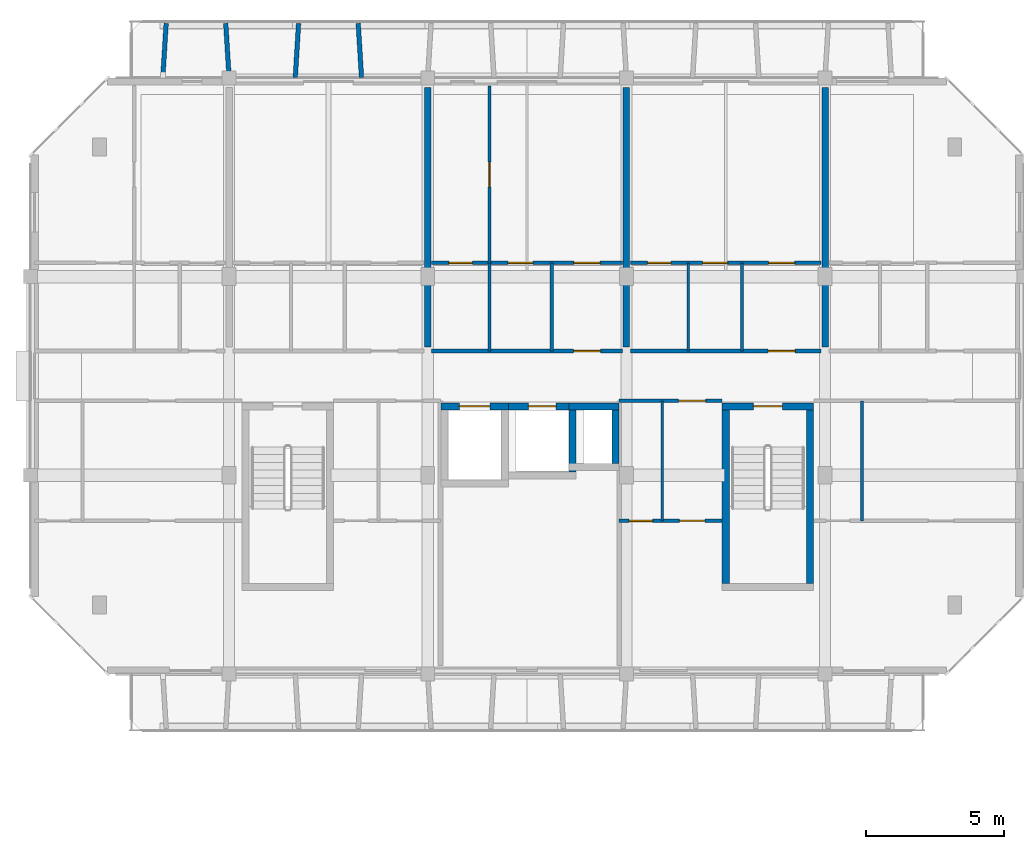
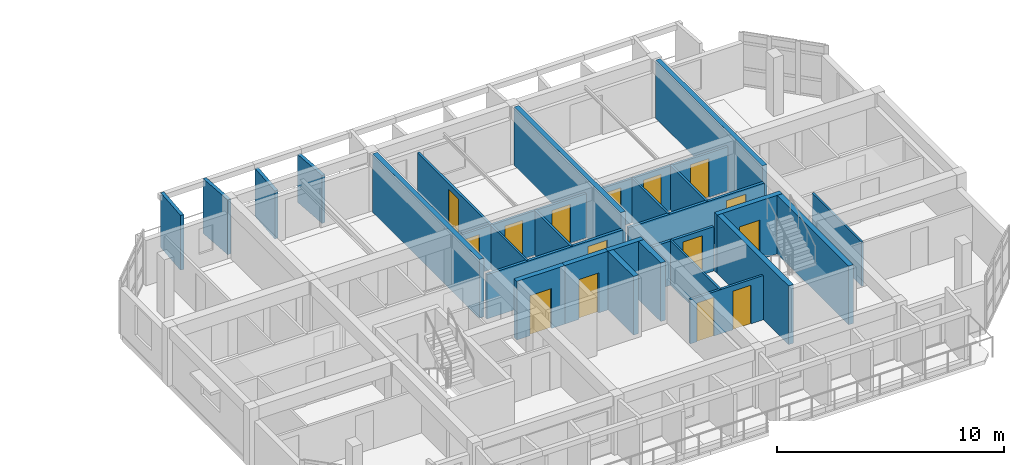
# One storey, part 27 of 44: 28 walls, 15 doors, 15 openings.
"""IFC4 building model written with IfcOpenShell, lengths in metres."""

from ifc_helpers import new_model, si_unit, direction, frame, frame_2d, origin, place, context, subcontext, project, spatial, rectangle, extrude, material, layer, layer_set, type_object, element, fill, save


model = new_model("IFC4")

# Units and contexts
model_context = context("Model", 3, precision=1e-05, world=origin(), true_north=direction((0.0, 1.0)))
body_context = subcontext(model_context, "Body", "Model", "MODEL_VIEW")
ifc_project = project(units=[si_unit("LENGTHUNIT", "METRE"), si_unit("AREAUNIT", "SQUARE_METRE"), si_unit("VOLUMEUNIT", "CUBIC_METRE"), si_unit("PLANEANGLEUNIT", "RADIAN"), si_unit("MASSUNIT", "GRAM", prefix="KILO")], contexts=[model_context])

# Site, building, storey
site_placement = place(None, origin())
site = spatial("IfcSite", under=ifc_project, at=site_placement, CompositionType="ELEMENT")
building_placement = place(site_placement, origin())
building = spatial("IfcBuilding", under=site, at=building_placement, Name="Ochrevale Crest", CompositionType="ELEMENT")
storey_placement = place(building_placement, frame((0.0, 0.0, 21.300048828125)))
storey = spatial("IfcBuildingStorey", under=building, at=storey_placement, Name="L06", CompositionType="ELEMENT", Elevation=21.300048828125)

# Wall, opening, door
ifc_material_1 = material(Name="Gypsum plasterboard", Category="gypsum")
ifc_layer_1 = layer(ifc_material_1, 0.139892578125)
ifc_layer_set_1 = layer_set([ifc_layer_1], Name="Gypsum plasterboard")
wall_type_1 = type_object("IfcWallType", Name="WL-COR-140", PredefinedType="PARTITIONING", material=ifc_layer_set_1)
wall_1_placement = place(storey_placement, frame((144.139892578125, 83.699951171875, 0.0), z_axis=(0.0, 0.0, 1.0), x_axis=(1.0, 0.0, 0.0)))
wall_1 = element("IfcWall", 1, at=wall_1_placement, inside=storey, type_object=wall_type_1, Name="Apartment D-L06-U3 corridor wall", PredefinedType="PARTITIONING", context=body_context, shape_type="SweptSolid", body=[
    extrude(rectangle(XDim=6.920166015625, YDim=0.139892578125, at=frame_2d((3.4599609375, 0.0))), origin(), (0.0, 0.0, 1.0), 2.3798828125),
])
opening_1_placement = place(wall_1_placement, frame((5.14501953125, 0.0, 0.0)))
opening_1 = element("IfcOpeningElement", 2, at=opening_1_placement, cuts=wall_1, Name="Opening FD01", PredefinedType="OPENING", context=body_context, shape_type="SweptSolid", body=[
    extrude(rectangle(XDim=0.97998046875, YDim=2.10009765625, at=frame_2d((0.489990234375, 1.050048828125))), frame((0.0, 0.080078125, 0.0), z_axis=(0.0, -1.0, 0.0), x_axis=(1.0, 0.0, 0.0)), (0.0, 0.0, 1.0), 0.159912109375),
])
ifc_material_2 = material(Name="Solid-core FSC hardwood", Category="wood")
door_type_1 = type_object("IfcDoorType", Name="DR-APT-950", OperationType="NOTDEFINED", PredefinedType="DOOR", material=ifc_material_2)
door_1_placement = place(opening_1_placement, origin())
door_1 = element("IfcDoor", 3, at=door_1_placement, inside=storey, type_object=door_type_1, Name="Apartment D-L06-U3 entrance door", OperationType="SINGLE_SWING_LEFT", OverallHeight=2.10009765625, OverallWidth=0.97998046875, PredefinedType="DOOR", context=body_context, shape_type="SweptSolid", body=[
    extrude(rectangle(XDim=0.97998046875, YDim=2.10009765625, at=frame_2d((0.489990234375, 1.050048828125))), frame((0.0, 0.02490234375, 0.0), z_axis=(0.0, -1.0, 0.0), x_axis=(1.0, 0.0, 0.0)), (0.0, 0.0, 1.0), 0.050048828125),
])
fill(opening_1, door_1)

wall_2_placement = place(storey_placement, frame((151.340087890625, 83.699951171875, 0.0), z_axis=(0.0, 0.0, 1.0), x_axis=(1.0, 0.0, 0.0)))
wall_2 = element("IfcWall", 4, at=wall_2_placement, inside=storey, type_object=wall_type_1, Name="Apartment D-L06-U4 corridor wall", PredefinedType="PARTITIONING", context=body_context, shape_type="SweptSolid", body=[
    extrude(rectangle(XDim=6.919921875, YDim=0.139892578125, at=frame_2d((3.4599609375, 0.0))), origin(), (0.0, 0.0, 1.0), 2.3798828125),
])
opening_2_placement = place(wall_2_placement, frame((5.97509765625, 0.0, 0.0), z_axis=(0.0, 0.0, 1.0), x_axis=(-1.0, 0.0, 0.0)))
opening_2 = element("IfcOpeningElement", 5, at=opening_2_placement, cuts=wall_2, Name="Opening FD01", PredefinedType="OPENING", context=body_context, shape_type="SweptSolid", body=[
    extrude(rectangle(XDim=0.97998046875, YDim=2.10009765625, at=frame_2d((0.489990234375, 1.050048828125))), frame((0.0, 0.080078125, 0.0), z_axis=(0.0, -1.0, 0.0), x_axis=(1.0, 0.0, 0.0)), (0.0, 0.0, 1.0), 0.159912109375),
])
door_2_placement = place(opening_2_placement, origin())
door_2 = element("IfcDoor", 6, at=door_2_placement, inside=storey, type_object=door_type_1, Name="Apartment D-L06-U4 entrance door", OperationType="SINGLE_SWING_RIGHT", OverallHeight=2.10009765625, OverallWidth=0.97998046875, PredefinedType="DOOR", context=body_context, shape_type="SweptSolid", body=[
    extrude(rectangle(XDim=0.97998046875, YDim=2.10009765625, at=frame_2d((0.489990234375, 1.050048828125))), frame((0.0, 0.02490234375, 0.0), z_axis=(0.0, -1.0, 0.0), x_axis=(1.0, 0.0, 0.0)), (0.0, 0.0, 1.0), 0.050048828125),
])
fill(opening_2, door_2)

wall_3_placement = place(storey_placement, frame((150.93994140625, 81.89990234375, 0.0), z_axis=(0.0, 0.0, 1.0), x_axis=(1.0, 0.0, 0.0)))
wall_3 = element("IfcWall", 7, at=wall_3_placement, inside=storey, type_object=wall_type_1, Name="Suite D-L06-ME corridor wall", PredefinedType="PARTITIONING", context=body_context, shape_type="SweptSolid", body=[
    extrude(rectangle(XDim=3.719970703125, YDim=0.139892578125, at=frame_2d((1.85986328125, 0.0))), origin(), (0.0, 0.0, 1.0), 2.3798828125),
])
opening_3_placement = place(wall_3_placement, frame((3.131103515625, 0.0, 0.0), z_axis=(0.0, 0.0, 1.0), x_axis=(-1.0, 0.0, 0.0)))
opening_3 = element("IfcOpeningElement", 8, at=opening_3_placement, cuts=wall_3, Name="Opening FD01", PredefinedType="OPENING", context=body_context, shape_type="SweptSolid", body=[
    extrude(rectangle(XDim=0.97998046875, YDim=2.10009765625, at=frame_2d((0.489990234375, 1.050048828125))), frame((0.0, 0.080078125, 0.0), z_axis=(0.0, -1.0, 0.0), x_axis=(1.0, 0.0, 0.0)), (0.0, 0.0, 1.0), 0.159912109375),
])
door_3_placement = place(opening_3_placement, origin())
door_3 = element("IfcDoor", 9, at=door_3_placement, inside=storey, type_object=door_type_1, Name="Suite D-L06-ME entrance door", OperationType="SINGLE_SWING_RIGHT", OverallHeight=2.10009765625, OverallWidth=0.97998046875, PredefinedType="DOOR", context=body_context, shape_type="SweptSolid", body=[
    extrude(rectangle(XDim=0.97998046875, YDim=2.10009765625, at=frame_2d((0.489990234375, 1.050048828125))), frame((0.0, 0.02490234375, 0.0), z_axis=(0.0, -1.0, 0.0), x_axis=(1.0, 0.0, 0.0)), (0.0, 0.0, 1.0), 0.050048828125),
])
fill(opening_3, door_3)

ifc_material_3 = material(Name="Precast concrete C50/60", Category="concrete")
ifc_layer_2 = layer(ifc_material_3, 0.2548828125)
ifc_layer_set_2 = layer_set([ifc_layer_2], Name="Precast concrete C50/60")
wall_type_2 = type_object("IfcWallType", Name="WL-CORE-255", PredefinedType="SHEAR", material=ifc_layer_set_2)
wall_4_placement = place(storey_placement, frame((154.672607421875, 81.699951171875, 0.0), z_axis=(0.0, 0.0, 1.0), x_axis=(1.0, 0.0, 0.0)))
wall_4 = element("IfcWall", 10, at=wall_4_placement, inside=storey, type_object=wall_type_2, Name="Block D L06 Stair 2 precast core shear wall N", PredefinedType="SHEAR", context=body_context, shape_type="SweptSolid", body=[
    extrude(rectangle(XDim=3.304931640625, YDim=0.2548828125, at=frame_2d((1.65234375, 0.0))), origin(), (0.0, 0.0, 1.0), 3.14990234375),
])
opening_4_placement = place(wall_4_placement, frame((1.12744140625, 0.0, 0.0)))
opening_4 = element("IfcOpeningElement", 11, at=opening_4_placement, cuts=wall_4, Name="Opening FD03", PredefinedType="OPENING", context=body_context, shape_type="SweptSolid", body=[
    extrude(rectangle(XDim=1.050048828125, YDim=2.1201171875, at=frame_2d((0.52490234375, 1.06005859375))), frame((0.0, 0.137451171875, 0.0), z_axis=(0.0, -1.0, 0.0), x_axis=(1.0, 0.0, 0.0)), (0.0, 0.0, 1.0), 0.27490234375),
])
door_type_2 = type_object("IfcDoorType", Name="DR-ST-1050", OperationType="NOTDEFINED", PredefinedType="DOOR", material=ifc_material_2)
door_4_placement = place(opening_4_placement, origin())
door_4 = element("IfcDoor", 12, at=door_4_placement, inside=storey, type_object=door_type_2, Name="Block D L06 fire stair 2 door", OperationType="SINGLE_SWING_LEFT", OverallHeight=2.1201171875, OverallWidth=1.050048828125, PredefinedType="DOOR", context=body_context, shape_type="SweptSolid", body=[
    extrude(rectangle(XDim=1.050048828125, YDim=2.1201171875, at=frame_2d((0.52490234375, 1.06005859375))), frame((0.0, 0.02490234375, 0.0), z_axis=(0.0, -1.0, 0.0), x_axis=(1.0, 0.0, 0.0)), (0.0, 0.0, 1.0), 0.050048828125),
])
fill(opening_4, door_4)

# Walls
for number, where, z_axis, x_axis, name in (
    (13, (154.800048828125, 75.277587890625, 0.0), (0.0, 0.0, 1.0), (0.0, 1.0, 0.0), "Block D L06 Stair 2 precast core shear wall W"),
    (14, (157.85009765625, 75.277587890625, 0.0), (0.0, 0.0, 1.0), (0.0, 1.0, 0.0), "Block D L06 Stair 2 precast core shear wall E"),
):
    element("IfcWall", number, at=place(storey_placement, frame(where, z_axis=z_axis, x_axis=x_axis)), inside=storey, type_object=wall_type_2, Name=name, PredefinedType="SHEAR", context=body_context, shape_type="SweptSolid", body=[
        extrude(rectangle(XDim=6.294921875, YDim=0.2548828125, at=frame_2d((3.1474609375, 0.0))), origin(), (0.0, 0.0, 1.0), 3.14990234375),
    ])

# Wall, opening, door
wall_5_placement = place(storey_placement, frame((144.472412109375, 81.699951171875, 0.0), z_axis=(0.0, 0.0, 1.0), x_axis=(1.0, 0.0, 0.0)))
wall_5 = element("IfcWall", 15, at=wall_5_placement, inside=storey, type_object=wall_type_2, Name="Block D L06 Lift 1 precast shaft shear wall N", PredefinedType="SHEAR", context=body_context, shape_type="SweptSolid", body=[
    extrude(rectangle(XDim=2.455078125, YDim=0.2548828125, at=frame_2d((1.2275390625, 0.0))), origin(), (0.0, 0.0, 1.0), 3.14990234375),
])
opening_5_placement = place(wall_5_placement, frame((0.677490234375, 0.0, 0.0)))
opening_5 = element("IfcOpeningElement", 16, at=opening_5_placement, cuts=wall_5, Name="Opening LD01", PredefinedType="OPENING", context=body_context, shape_type="SweptSolid", body=[
    extrude(rectangle(XDim=1.10009765625, YDim=2.14990234375, at=frame_2d((0.550048828125, 1.074951171875))), frame((0.0, 0.137451171875, 0.0), z_axis=(0.0, -1.0, 0.0), x_axis=(1.0, 0.0, 0.0)), (0.0, 0.0, 1.0), 0.27490234375),
])
door_type_3 = type_object("IfcDoorType", Name="DR-LIFT-1100", OperationType="NOTDEFINED", PredefinedType="DOOR", material=ifc_material_2)
door_5_placement = place(opening_5_placement, origin())
door_5 = element("IfcDoor", 17, at=door_5_placement, inside=storey, type_object=door_type_3, Name="Lift LF-D1 L06 sliding landing door", OperationType="SLIDING_TO_LEFT", OverallHeight=2.14990234375, OverallWidth=1.10009765625, PredefinedType="DOOR", context=body_context, shape_type="SweptSolid", body=[
    extrude(rectangle(XDim=1.10009765625, YDim=2.14990234375, at=frame_2d((0.550048828125, 1.074951171875))), frame((0.0, 0.02490234375, 0.0), z_axis=(0.0, -1.0, 0.0), x_axis=(1.0, 0.0, 0.0)), (0.0, 0.0, 1.0), 0.050048828125),
])
fill(opening_5, door_5)

wall_6_placement = place(storey_placement, frame((146.922607421875, 81.699951171875, 0.0), z_axis=(0.0, 0.0, 1.0), x_axis=(1.0, 0.0, 0.0)))
wall_6 = element("IfcWall", 18, at=wall_6_placement, inside=storey, type_object=wall_type_2, Name="Block D L06 Lift 2 precast shaft shear wall N", PredefinedType="SHEAR", context=body_context, shape_type="SweptSolid", body=[
    extrude(rectangle(XDim=2.454833984375, YDim=0.2548828125, at=frame_2d((1.2275390625, 0.0))), origin(), (0.0, 0.0, 1.0), 3.14990234375),
])
opening_6_placement = place(wall_6_placement, frame((0.7275390625, 0.0, 0.0)))
opening_6 = element("IfcOpeningElement", 19, at=opening_6_placement, cuts=wall_6, Name="Opening LD02", PredefinedType="OPENING", context=body_context, shape_type="SweptSolid", body=[
    extrude(rectangle(XDim=1.0, YDim=2.14990234375, at=frame_2d((0.5, 1.074951171875))), frame((0.0, 0.137451171875, 0.0), z_axis=(0.0, -1.0, 0.0), x_axis=(1.0, 0.0, 0.0)), (0.0, 0.0, 1.0), 0.27490234375),
])
door_type_4 = type_object("IfcDoorType", Name="DR-LIFT-1000", OperationType="NOTDEFINED", PredefinedType="DOOR", material=ifc_material_2)
door_6_placement = place(opening_6_placement, origin())
door_6 = element("IfcDoor", 20, at=door_6_placement, inside=storey, type_object=door_type_4, Name="Lift LP-D2 L06 sliding landing door", OperationType="SLIDING_TO_RIGHT", OverallHeight=2.14990234375, OverallWidth=1.0, PredefinedType="DOOR", context=body_context, shape_type="SweptSolid", body=[
    extrude(rectangle(XDim=1.0, YDim=2.14990234375, at=frame_2d((0.5, 1.074951171875))), frame((0.0, 0.02490234375, 0.0), z_axis=(0.0, -1.0, 0.0), x_axis=(1.0, 0.0, 0.0)), (0.0, 0.0, 1.0), 0.050048828125),
])
fill(opening_6, door_6)

# Walls
wall_7_placement = place(storey_placement, frame((149.25, 79.327392578125, 0.0), z_axis=(0.0, 0.0, 1.0), x_axis=(0.0, 1.0, 0.0)))
element("IfcWall", 21, at=wall_7_placement, inside=storey, type_object=wall_type_2, Name="Block D L06 Lift 2 precast shaft shear wall E", PredefinedType="SHEAR", context=body_context, shape_type="SweptSolid", body=[
    extrude(rectangle(XDim=2.2451171875, YDim=0.2548828125, at=frame_2d((1.12255859375, 0.0))), origin(), (0.0, 0.0, 1.0), 3.14990234375),
])
wall_8_placement = place(storey_placement, frame((149.12255859375, 81.699951171875, 0.0), z_axis=(0.0, 0.0, 1.0), x_axis=(1.0, 0.0, 0.0)))
element("IfcWall", 22, at=wall_8_placement, inside=storey, type_object=wall_type_2, Name="Block D L06 services riser shaft core wall N", PredefinedType="SHEAR", context=body_context, shape_type="SweptSolid", body=[
    extrude(rectangle(XDim=1.804931640625, YDim=0.2548828125, at=frame_2d((0.90234375, 0.0))), origin(), (0.0, 0.0, 1.0), 3.14990234375),
])
wall_9_placement = place(storey_placement, frame((150.800048828125, 79.62744140625, 0.0), z_axis=(0.0, 0.0, 1.0), x_axis=(0.0, 1.0, 0.0)))
element("IfcWall", 23, at=wall_9_placement, inside=storey, type_object=wall_type_2, Name="Block D L06 services riser shaft core wall E", PredefinedType="SHEAR", context=body_context, shape_type="SweptSolid", body=[
    extrude(rectangle(XDim=1.945068359375, YDim=0.2548828125, at=frame_2d((0.97265625, 0.0))), origin(), (0.0, 0.0, 1.0), 3.14990234375),
])
ifc_material_4 = material(Name="Precast concrete C40/50", Category="concrete")
ifc_layer_3 = layer(ifc_material_4, 0.1650390625)
ifc_layer_set_3 = layer_set([ifc_layer_3], Name="Precast concrete C40/50")
wall_type_3 = type_object("IfcWallType", Name="WL-HC-CHEEK-165", PredefinedType="ELEMENTEDWALL", material=ifc_layer_set_3)
for number, where, z_axis, x_axis, name in (
    (24, (134.39990234375, 93.6201171875, 0.0), (0.0, 0.0, 1.0), (0.061170732449, 0.998127317276, 0.0), "Block D L06 N precast honeycomb cheek 1"),
    (25, (136.800048828125, 93.6201171875, 0.0), (0.0, 0.0, 1.0), (-0.061170732449, 0.998127317276, 0.0), "Block D L06 N precast honeycomb cheek 2"),
):
    element("IfcWall", number, at=place(storey_placement, frame(where, z_axis=z_axis, x_axis=x_axis)), inside=storey, type_object=wall_type_3, Name=name, PredefinedType="ELEMENTEDWALL", context=body_context, shape_type="SweptSolid", body=[
        extrude(rectangle(XDim=1.963623046875, YDim=0.1650390625, at=frame_2d((0.98193359375, 0.0))), origin(), (0.0, 0.0, 1.0), 2.949951171875),
    ])
for number, where, z_axis, x_axis, name in (
    (26, (139.199951171875, 93.6201171875, 0.0), (0.0, 0.0, 1.0), (0.061170732449, 0.998127317276, 0.0), "Block D L06 N precast honeycomb cheek 3"),
    (27, (141.60009765625, 93.6201171875, 0.0), (0.0, 0.0, 1.0), (-0.061170732449, 0.998127317276, 0.0), "Block D L06 N precast honeycomb cheek 4"),
):
    element("IfcWall", number, at=place(storey_placement, frame(where, z_axis=z_axis, x_axis=x_axis)), inside=storey, type_object=wall_type_3, Name=name, PredefinedType="ELEMENTEDWALL", context=body_context, shape_type="SweptSolid", body=[
        extrude(rectangle(XDim=1.963623046875, YDim=0.1650390625, at=frame_2d((0.98193359375, 0.0))), origin(), (0.0, 0.0, 1.0), 2.579833984375),
    ])
ifc_layer_4 = layer(ifc_material_1, 0.1201171875)
ifc_layer_set_4 = layer_set([ifc_layer_4], Name="Gypsum plasterboard")
wall_type_4 = type_object("IfcWallType", Name="WL-PART-120", PredefinedType="PARTITIONING", material=ifc_layer_set_4)
wall_10_placement = place(storey_placement, frame((148.489990234375, 83.699951171875, 0.0), z_axis=(0.0, 0.0, 1.0), x_axis=(0.0, 1.0, 0.0)))
element("IfcWall", 28, at=wall_10_placement, inside=storey, type_object=wall_type_4, Name="Apartment D-L06-U3 kitchen-foyer wall", PredefinedType="PARTITIONING", context=body_context, shape_type="SweptSolid", body=[
    extrude(rectangle(XDim=3.199951171875, YDim=0.1201171875, at=frame_2d((1.60009765625, 0.0))), origin(), (0.0, 0.0, 1.0), 2.3798828125),
])

# Wall, openings, doors
wall_11_placement = place(storey_placement, frame((144.139892578125, 86.89990234375, 0.0), z_axis=(0.0, 0.0, 1.0), x_axis=(1.0, 0.0, 0.0)))
wall_11 = element("IfcWall", 29, at=wall_11_placement, inside=storey, type_object=wall_type_4, Name="Apartment D-L06-U3 central partition", PredefinedType="PARTITIONING", context=body_context, shape_type="SweptSolid", body=[
    extrude(rectangle(XDim=6.920166015625, YDim=0.1201171875, at=frame_2d((3.4599609375, 0.0))), origin(), (0.0, 0.0, 1.0), 2.3798828125),
])
opening_7_placement = place(wall_11_placement, frame((1.47509765625, 0.0, 0.0), z_axis=(0.0, 0.0, 1.0), x_axis=(-1.0, 0.0, 0.0)))
opening_7 = element("IfcOpeningElement", 30, at=opening_7_placement, cuts=wall_11, Name="Opening ID01", PredefinedType="OPENING", context=body_context, shape_type="SweptSolid", body=[
    extrude(rectangle(XDim=0.85009765625, YDim=2.080078125, at=frame_2d((0.425048828125, 1.0400390625))), frame((0.0, 0.070068359375, 0.0), z_axis=(0.0, -1.0, 0.0), x_axis=(1.0, 0.0, 0.0)), (0.0, 0.0, 1.0), 0.14013671875),
])
opening_8_placement = place(wall_11_placement, frame((2.77490234375, 0.0, 0.0)))
opening_8 = element("IfcOpeningElement", 31, at=opening_8_placement, cuts=wall_11, Name="Opening ID02", PredefinedType="OPENING", context=body_context, shape_type="SweptSolid", body=[
    extrude(rectangle(XDim=0.89990234375, YDim=2.080078125, at=frame_2d((0.449951171875, 1.0400390625))), frame((0.0, 0.070068359375, 0.0), z_axis=(0.0, -1.0, 0.0), x_axis=(1.0, 0.0, 0.0)), (0.0, 0.0, 1.0), 0.14013671875),
])
opening_9_placement = place(wall_11_placement, frame((6.10986328125, 0.0, 0.0), z_axis=(0.0, 0.0, 1.0), x_axis=(-1.0, 0.0, 0.0)))
opening_9 = element("IfcOpeningElement", 32, at=opening_9_placement, cuts=wall_11, Name="Opening ID06", PredefinedType="OPENING", context=body_context, shape_type="SweptSolid", body=[
    extrude(rectangle(XDim=0.949951171875, YDim=2.080078125, at=frame_2d((0.47509765625, 1.0400390625))), frame((0.0, 0.070068359375, 0.0), z_axis=(0.0, -1.0, 0.0), x_axis=(1.0, 0.0, 0.0)), (0.0, 0.0, 1.0), 0.14013671875),
])
door_type_5 = type_object("IfcDoorType", Name="DR-INT-900", OperationType="NOTDEFINED", PredefinedType="DOOR", material=ifc_material_2)
door_7_placement = place(opening_8_placement, origin())
door_7 = element("IfcDoor", 33, at=door_7_placement, inside=storey, type_object=door_type_5, Name="Apartment D-L06-U3 Kitchen door", OperationType="SINGLE_SWING_LEFT", OverallHeight=2.080078125, OverallWidth=0.89990234375, PredefinedType="DOOR", context=body_context, shape_type="SweptSolid", body=[
    extrude(rectangle(XDim=0.89990234375, YDim=2.080078125, at=frame_2d((0.449951171875, 1.0400390625))), frame((0.0, 0.02490234375, 0.0), z_axis=(0.0, -1.0, 0.0), x_axis=(1.0, 0.0, 0.0)), (0.0, 0.0, 1.0), 0.050048828125),
])
fill(opening_8, door_7)
door_type_6 = type_object("IfcDoorType", Name="DR-INT-950", OperationType="NOTDEFINED", PredefinedType="DOOR", material=ifc_material_2)
door_8_placement = place(opening_9_placement, origin())
door_8 = element("IfcDoor", 34, at=door_8_placement, inside=storey, type_object=door_type_6, Name="Apartment D-L06-U3 Living Foyer door", OperationType="SINGLE_SWING_RIGHT", OverallHeight=2.080078125, OverallWidth=0.949951171875, PredefinedType="DOOR", context=body_context, shape_type="SweptSolid", body=[
    extrude(rectangle(XDim=0.949951171875, YDim=2.080078125, at=frame_2d((0.47509765625, 1.0400390625))), frame((0.0, 0.02490234375, 0.0), z_axis=(0.0, -1.0, 0.0), x_axis=(1.0, 0.0, 0.0)), (0.0, 0.0, 1.0), 0.050048828125),
])
fill(opening_9, door_8)
door_type_7 = type_object("IfcDoorType", Name="DR-WC-850", OperationType="NOTDEFINED", PredefinedType="DOOR", material=ifc_material_2)
door_9_placement = place(opening_7_placement, origin())
door_9 = element("IfcDoor", 35, at=door_9_placement, inside=storey, type_object=door_type_7, Name="Apartment D-L06-U3 Bathroom door", OperationType="SINGLE_SWING_RIGHT", OverallHeight=2.080078125, OverallWidth=0.85009765625, PredefinedType="DOOR", context=body_context, shape_type="SweptSolid", body=[
    extrude(rectangle(XDim=0.85009765625, YDim=2.080078125, at=frame_2d((0.425048828125, 1.0400390625))), frame((0.0, 0.02490234375, 0.0), z_axis=(0.0, -1.0, 0.0), x_axis=(1.0, 0.0, 0.0)), (0.0, 0.0, 1.0), 0.050048828125),
])
fill(opening_7, door_9)

# Wall, opening, door
wall_12_placement = place(storey_placement, frame((146.239990234375, 86.89990234375, 0.0), z_axis=(0.0, 0.0, 1.0), x_axis=(0.0, 1.0, 0.0)))
wall_12 = element("IfcWall", 36, at=wall_12_placement, inside=storey, type_object=wall_type_4, Name="Apartment D-L06-U3 bedroom partition", PredefinedType="PARTITIONING", context=body_context, shape_type="SweptSolid", body=[
    extrude(rectangle(XDim=6.400146484375, YDim=0.1201171875, at=frame_2d((3.2001953125, 0.0))), origin(), (0.0, 0.0, 1.0), 2.3798828125),
])
opening_10_placement = place(wall_12_placement, frame((2.75, 0.0, 0.0)))
opening_10 = element("IfcOpeningElement", 37, at=opening_10_placement, cuts=wall_12, Name="Opening ID02", PredefinedType="OPENING", context=body_context, shape_type="SweptSolid", body=[
    extrude(rectangle(XDim=0.89990234375, YDim=2.080078125, at=frame_2d((0.449951171875, 1.0400390625))), frame((0.0, 0.070068359375, 0.0), z_axis=(0.0, -1.0, 0.0), x_axis=(1.0, 0.0, 0.0)), (0.0, 0.0, 1.0), 0.14013671875),
])
door_10_placement = place(opening_10_placement, origin())
door_10 = element("IfcDoor", 38, at=door_10_placement, inside=storey, type_object=door_type_5, Name="Apartment D-L06-U3 Master Bedroom door", OperationType="SINGLE_SWING_LEFT", OverallHeight=2.080078125, OverallWidth=0.89990234375, PredefinedType="DOOR", context=body_context, shape_type="SweptSolid", body=[
    extrude(rectangle(XDim=0.89990234375, YDim=2.080078125, at=frame_2d((0.449951171875, 1.0400390625))), frame((0.0, 0.02490234375, 0.0), z_axis=(0.0, -1.0, 0.0), x_axis=(1.0, 0.0, 0.0)), (0.0, 0.0, 1.0), 0.050048828125),
])
fill(opening_10, door_10)

# Wall
wall_13_placement = place(storey_placement, frame((155.389892578125, 83.699951171875, 0.0), z_axis=(0.0, 0.0, 1.0), x_axis=(0.0, 1.0, 0.0)))
element("IfcWall", 39, at=wall_13_placement, inside=storey, type_object=wall_type_4, Name="Apartment D-L06-U4 kitchen-foyer wall", PredefinedType="PARTITIONING", context=body_context, shape_type="SweptSolid", body=[
    extrude(rectangle(XDim=3.199951171875, YDim=0.1201171875, at=frame_2d((1.60009765625, 0.0))), origin(), (0.0, 0.0, 1.0), 2.3798828125),
])

# Wall, openings, doors
wall_14_placement = place(storey_placement, frame((151.340087890625, 86.89990234375, 0.0), z_axis=(0.0, 0.0, 1.0), x_axis=(1.0, 0.0, 0.0)))
wall_14 = element("IfcWall", 40, at=wall_14_placement, inside=storey, type_object=wall_type_4, Name="Apartment D-L06-U4 central partition", PredefinedType="PARTITIONING", context=body_context, shape_type="SweptSolid", body=[
    extrude(rectangle(XDim=6.919921875, YDim=0.1201171875, at=frame_2d((3.4599609375, 0.0))), origin(), (0.0, 0.0, 1.0), 2.3798828125),
])
opening_11_placement = place(wall_14_placement, frame((0.625, 0.0, 0.0)))
opening_11 = element("IfcOpeningElement", 41, at=opening_11_placement, cuts=wall_14, Name="Opening ID01", PredefinedType="OPENING", context=body_context, shape_type="SweptSolid", body=[
    extrude(rectangle(XDim=0.85009765625, YDim=2.080078125, at=frame_2d((0.425048828125, 1.0400390625))), frame((0.0, 0.070068359375, 0.0), z_axis=(0.0, -1.0, 0.0), x_axis=(1.0, 0.0, 0.0)), (0.0, 0.0, 1.0), 0.14013671875),
])
opening_12_placement = place(wall_14_placement, frame((3.52490234375, 0.0, 0.0), z_axis=(0.0, 0.0, 1.0), x_axis=(-1.0, 0.0, 0.0)))
opening_12 = element("IfcOpeningElement", 42, at=opening_12_placement, cuts=wall_14, Name="Opening ID02", PredefinedType="OPENING", context=body_context, shape_type="SweptSolid", body=[
    extrude(rectangle(XDim=0.89990234375, YDim=2.080078125, at=frame_2d((0.449951171875, 1.0400390625))), frame((0.0, 0.070068359375, 0.0), z_axis=(0.0, -1.0, 0.0), x_axis=(1.0, 0.0, 0.0)), (0.0, 0.0, 1.0), 0.14013671875),
])
opening_13_placement = place(wall_14_placement, frame((5.010009765625, 0.0, 0.0)))
opening_13 = element("IfcOpeningElement", 43, at=opening_13_placement, cuts=wall_14, Name="Opening ID06", PredefinedType="OPENING", context=body_context, shape_type="SweptSolid", body=[
    extrude(rectangle(XDim=0.949951171875, YDim=2.080078125, at=frame_2d((0.47509765625, 1.0400390625))), frame((0.0, 0.070068359375, 0.0), z_axis=(0.0, -1.0, 0.0), x_axis=(1.0, 0.0, 0.0)), (0.0, 0.0, 1.0), 0.14013671875),
])
door_11_placement = place(opening_12_placement, origin())
door_11 = element("IfcDoor", 44, at=door_11_placement, inside=storey, type_object=door_type_5, Name="Apartment D-L06-U4 Kitchen door", OperationType="SINGLE_SWING_RIGHT", OverallHeight=2.080078125, OverallWidth=0.89990234375, PredefinedType="DOOR", context=body_context, shape_type="SweptSolid", body=[
    extrude(rectangle(XDim=0.89990234375, YDim=2.080078125, at=frame_2d((0.449951171875, 1.0400390625))), frame((0.0, 0.02490234375, 0.0), z_axis=(0.0, -1.0, 0.0), x_axis=(1.0, 0.0, 0.0)), (0.0, 0.0, 1.0), 0.050048828125),
])
fill(opening_12, door_11)
door_12_placement = place(opening_13_placement, origin())
door_12 = element("IfcDoor", 45, at=door_12_placement, inside=storey, type_object=door_type_6, Name="Apartment D-L06-U4 Living Foyer door", OperationType="SINGLE_SWING_LEFT", OverallHeight=2.080078125, OverallWidth=0.949951171875, PredefinedType="DOOR", context=body_context, shape_type="SweptSolid", body=[
    extrude(rectangle(XDim=0.949951171875, YDim=2.080078125, at=frame_2d((0.47509765625, 1.0400390625))), frame((0.0, 0.02490234375, 0.0), z_axis=(0.0, -1.0, 0.0), x_axis=(1.0, 0.0, 0.0)), (0.0, 0.0, 1.0), 0.050048828125),
])
fill(opening_13, door_12)
door_13_placement = place(opening_11_placement, origin())
door_13 = element("IfcDoor", 46, at=door_13_placement, inside=storey, type_object=door_type_7, Name="Apartment D-L06-U4 Bathroom door", OperationType="SINGLE_SWING_LEFT", OverallHeight=2.080078125, OverallWidth=0.85009765625, PredefinedType="DOOR", context=body_context, shape_type="SweptSolid", body=[
    extrude(rectangle(XDim=0.85009765625, YDim=2.080078125, at=frame_2d((0.425048828125, 1.0400390625))), frame((0.0, 0.02490234375, 0.0), z_axis=(0.0, -1.0, 0.0), x_axis=(1.0, 0.0, 0.0)), (0.0, 0.0, 1.0), 0.050048828125),
])
fill(opening_11, door_13)

wall_15_placement = place(storey_placement, frame((150.93994140625, 77.550048828125, 0.0), z_axis=(0.0, 0.0, 1.0), x_axis=(1.0, 0.0, 0.0)))
wall_15 = element("IfcWall", 47, at=wall_15_placement, inside=storey, type_object=wall_type_4, Name="Suite D-L06-ME internal wall", PredefinedType="PARTITIONING", context=body_context, shape_type="SweptSolid", body=[
    extrude(rectangle(XDim=3.719970703125, YDim=0.1201171875, at=frame_2d((1.85986328125, 0.0))), origin(), (0.0, 0.0, 1.0), 2.3798828125),
])
opening_14_placement = place(wall_15_placement, frame((0.356201171875, 0.0, 0.0)))
opening_14 = element("IfcOpeningElement", 48, at=opening_14_placement, cuts=wall_15, Name="Opening ID01", PredefinedType="OPENING", context=body_context, shape_type="SweptSolid", body=[
    extrude(rectangle(XDim=0.85009765625, YDim=2.080078125, at=frame_2d((0.425048828125, 1.0400390625))), frame((0.0, 0.070068359375, 0.0), z_axis=(0.0, -1.0, 0.0), x_axis=(1.0, 0.0, 0.0)), (0.0, 0.0, 1.0), 0.14013671875),
])
opening_15_placement = place(wall_15_placement, frame((3.10107421875, 0.0, 0.0), z_axis=(0.0, 0.0, 1.0), x_axis=(-1.0, 0.0, 0.0)))
opening_15 = element("IfcOpeningElement", 49, at=opening_15_placement, cuts=wall_15, Name="Opening ID04", PredefinedType="OPENING", context=body_context, shape_type="SweptSolid", body=[
    extrude(rectangle(XDim=0.919921875, YDim=2.080078125, at=frame_2d((0.4599609375, 1.0400390625))), frame((0.0, 0.070068359375, 0.0), z_axis=(0.0, -1.0, 0.0), x_axis=(1.0, 0.0, 0.0)), (0.0, 0.0, 1.0), 0.14013671875),
])
door_type_8 = type_object("IfcDoorType", Name="DR-INT-920", OperationType="NOTDEFINED", PredefinedType="DOOR", material=ifc_material_2)
door_14_placement = place(opening_15_placement, origin())
door_14 = element("IfcDoor", 50, at=door_14_placement, inside=storey, type_object=door_type_8, Name="Suite D-L06-ME Garden Alcove Studio door", OperationType="SINGLE_SWING_RIGHT", OverallHeight=2.080078125, OverallWidth=0.919921875, PredefinedType="DOOR", context=body_context, shape_type="SweptSolid", body=[
    extrude(rectangle(XDim=0.919921875, YDim=2.080078125, at=frame_2d((0.4599609375, 1.0400390625))), frame((0.0, 0.02490234375, 0.0), z_axis=(0.0, -1.0, 0.0), x_axis=(1.0, 0.0, 0.0)), (0.0, 0.0, 1.0), 0.050048828125),
])
fill(opening_15, door_14)
door_15_placement = place(opening_14_placement, origin())
door_15 = element("IfcDoor", 51, at=door_15_placement, inside=storey, type_object=door_type_7, Name="Suite D-L06-ME Bathroom door", OperationType="SINGLE_SWING_LEFT", OverallHeight=2.080078125, OverallWidth=0.85009765625, PredefinedType="DOOR", context=body_context, shape_type="SweptSolid", body=[
    extrude(rectangle(XDim=0.85009765625, YDim=2.080078125, at=frame_2d((0.425048828125, 1.0400390625))), frame((0.0, 0.02490234375, 0.0), z_axis=(0.0, -1.0, 0.0), x_axis=(1.0, 0.0, 0.0)), (0.0, 0.0, 1.0), 0.050048828125),
])
fill(opening_14, door_15)

# Walls
ifc_layer_5 = layer(ifc_material_3, 0.239990234375)
ifc_layer_set_5 = layer_set([ifc_layer_5], Name="Precast concrete C50/60")
wall_type_5 = type_object("IfcWallType", Name="WL-SHEAR-240", PredefinedType="SHEAR", material=ifc_layer_set_5)
for number, where, z_axis, x_axis, name in (
    (52, (144.0, 83.85009765625, 0.0), (0.0, 0.0, 1.0), (0.0, 1.0, 0.0), "Block D L06 load-bearing precast cross-wall X=144.0"),
    (53, (151.199951171875, 83.85009765625, 0.0), (0.0, 0.0, 1.0), (0.0, 1.0, 0.0), "Block D L06 load-bearing precast cross-wall X=151.2"),
    (54, (158.39990234375, 83.85009765625, 0.0), (0.0, 0.0, 1.0), (0.0, 1.0, 0.0), "Block D L06 load-bearing precast cross-wall X=158.4"),
):
    element("IfcWall", number, at=place(storey_placement, frame(where, z_axis=z_axis, x_axis=x_axis)), inside=storey, type_object=wall_type_5, Name=name, PredefinedType="SHEAR", context=body_context, shape_type="SweptSolid", body=[
        extrude(rectangle(XDim=9.39990234375, YDim=0.239990234375, at=frame_2d((4.699951171875, 0.0))), origin(), (0.0, 0.0, 1.0), 3.14990234375),
    ])
ifc_layer_6 = layer(ifc_material_1, 0.10009765625)
ifc_layer_set_6 = layer_set([ifc_layer_6], Name="Gypsum plasterboard")
wall_type_6 = type_object("IfcWallType", Name="WL-WET-100", PredefinedType="PARTITIONING", material=ifc_layer_set_6)
for number, where, z_axis, x_axis, name in (
    (55, (146.239990234375, 83.699951171875, 0.0), (0.0, 0.0, 1.0), (0.0, 1.0, 0.0), "Apartment D-L06-U3 bath-kitchen wall"),
    (56, (153.43994140625, 83.699951171875, 0.0), (0.0, 0.0, 1.0), (0.0, 1.0, 0.0), "Apartment D-L06-U4 bath-kitchen wall"),
):
    element("IfcWall", number, at=place(storey_placement, frame(where, z_axis=z_axis, x_axis=x_axis)), inside=storey, type_object=wall_type_6, Name=name, PredefinedType="PARTITIONING", context=body_context, shape_type="SweptSolid", body=[
        extrude(rectangle(XDim=3.199951171875, YDim=0.10009765625, at=frame_2d((1.60009765625, 0.0))), origin(), (0.0, 0.0, 1.0), 2.3798828125),
    ])
for number, where, z_axis, x_axis, name in (
    (57, (152.50244140625, 77.550048828125, 0.0), (0.0, 0.0, 1.0), (0.0, 1.0, 0.0), "Suite D-L06-ME bathroom divider"),
    (58, (159.739990234375, 77.550048828125, 0.0), (0.0, 0.0, 1.0), (0.0, 1.0, 0.0), "Suite D-L06-CE bathroom divider"),
):
    element("IfcWall", number, at=place(storey_placement, frame(where, z_axis=z_axis, x_axis=x_axis)), inside=storey, type_object=wall_type_6, Name=name, PredefinedType="PARTITIONING", context=body_context, shape_type="SweptSolid", body=[
        extrude(rectangle(XDim=4.349853515625, YDim=0.10009765625, at=frame_2d((2.1748046875, 0.0))), origin(), (0.0, 0.0, 1.0), 2.3798828125),
    ])

save(model, "model.ifc")
